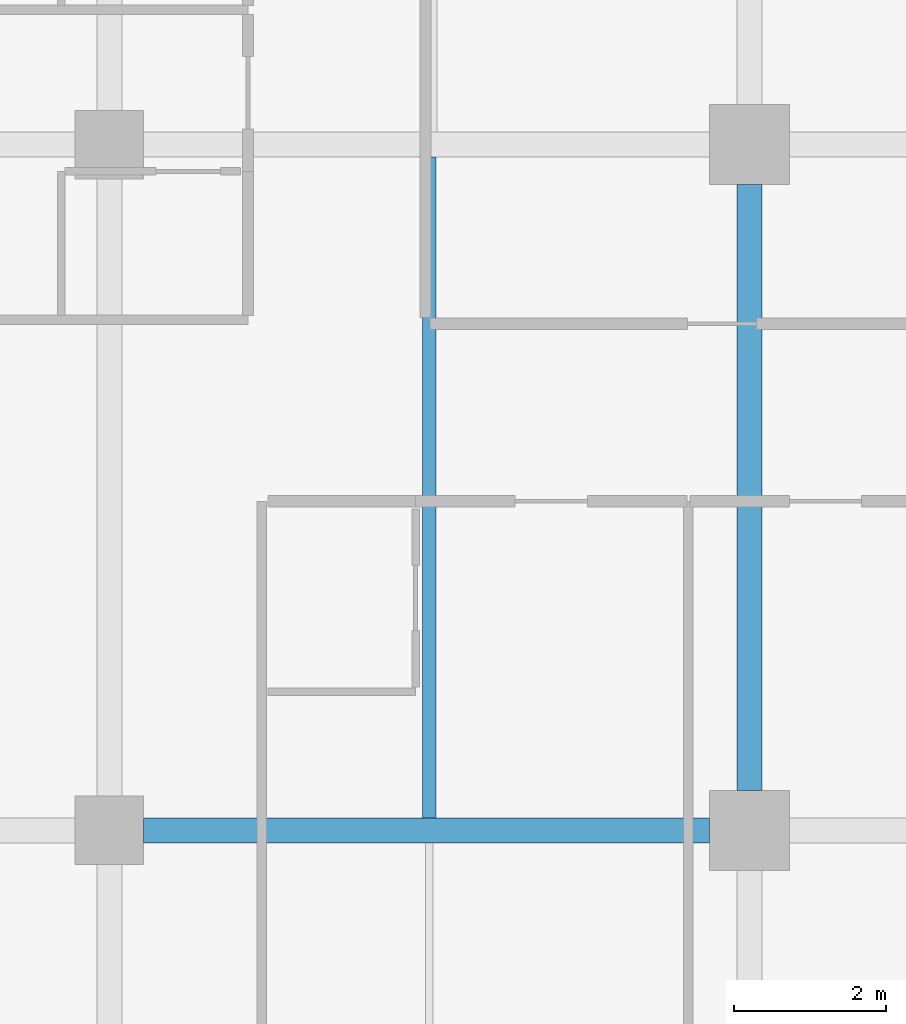
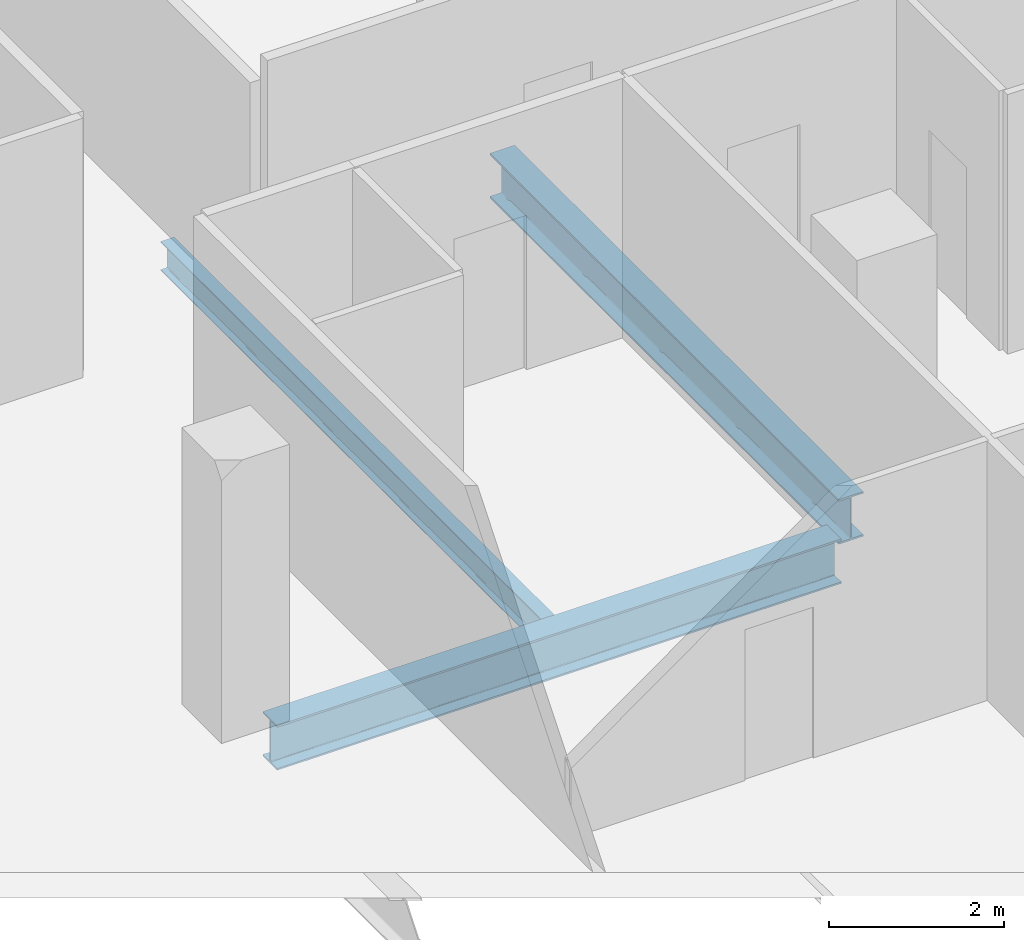
# One storey, part 6 of 41: 3 beams.
"""IFC4 building model written with IfcOpenShell, lengths in metres."""

from ifc_helpers import new_model, si_unit, direction, frame, origin, origin_2d, place, context, subcontext, project, spatial, i_section, extrude, material, material_profile, profile_set, type_object, element, save


model = new_model("IFC4")

# Units and contexts
model_context = context("Model", 3, precision=1e-05, world=origin(), true_north=direction((0.0, 1.0)))
body_context = subcontext(model_context, "Body", "Model", "MODEL_VIEW")
ifc_project = project(units=[si_unit("LENGTHUNIT", "METRE"), si_unit("AREAUNIT", "SQUARE_METRE"), si_unit("VOLUMEUNIT", "CUBIC_METRE"), si_unit("PLANEANGLEUNIT", "RADIAN"), si_unit("MASSUNIT", "GRAM", prefix="KILO")], contexts=[model_context])

# Site, building, storey
site_placement = place(None, origin())
site = spatial("IfcSite", under=ifc_project, at=site_placement, CompositionType="ELEMENT")
building_placement = place(site_placement, origin())
building = spatial("IfcBuilding", under=site, at=building_placement, Name="Maruvema Waterfront Hotel and Observation Tower", CompositionType="ELEMENT")
storey_placement = place(building_placement, frame((0.0, 0.0, 61.60009765625)))
storey = spatial("IfcBuildingStorey", under=building, at=storey_placement, Name="L14", CompositionType="ELEMENT", Elevation=61.60009765625)

# Beams
ifc_material_1 = material(Name="Steel ASTM A572 Grade 50", Category="steel")
ifc_material_profile_1 = material_profile(ifc_material_1, i_section(OverallWidth=0.326904296875, OverallDepth=0.6220703125, WebThickness=0.015380859375, FlangeThickness=0.0244140625, FilletRadius=0.01806640625, at=origin_2d()), Name="W610x195.0")
ifc_profile_set_1 = profile_set([ifc_material_profile_1], Name="Steel ASTM A572 Grade 50")
beam_type_1 = type_object("IfcBeamType", Name="Primary Floor Girder W610x195.0", PredefinedType="BEAM", material=ifc_profile_set_1)
beam_1_placement = place(storey_placement, frame((17.25, 9.0, -0.551025390625), z_axis=(1.0, 0.0, 0.0), x_axis=(0.0, 1.0, 0.0)))
element("IfcBeam", 1, at=beam_1_placement, inside=storey, type_object=beam_type_1, Name="L14 Floor Girder EW-07", PredefinedType="BEAM", context=body_context, shape_type="SweptSolid", body=[
    extrude(i_section(OverallWidth=0.326904296875, OverallDepth=0.6220703125, WebThickness=0.015380859375, FlangeThickness=0.0244140625, FilletRadius=0.01806640625, at=origin_2d()), origin(), (0.0, 0.0, 1.0), 7.425048828125),
])
beam_2_placement = place(storey_placement, frame((25.199951171875, 9.52490234375, -0.551025390625), z_axis=(0.0, 1.0, 0.0), x_axis=(-1.0, 0.0, 0.0)))
element("IfcBeam", 2, at=beam_2_placement, inside=storey, type_object=beam_type_1, Name="L14 Floor Girder NS-12", PredefinedType="BEAM", context=body_context, shape_type="SweptSolid", body=[
    extrude(i_section(OverallWidth=0.326904296875, OverallDepth=0.6220703125, WebThickness=0.015380859375, FlangeThickness=0.0244140625, FilletRadius=0.01806640625, at=origin_2d()), origin(), (0.0, 0.0, 1.0), 7.9501953125),
])
ifc_material_2 = material(Name="Steel ASTM A572 Grade 50", Category="steel")
ifc_material_profile_2 = material_profile(ifc_material_2, i_section(OverallWidth=0.177001953125, OverallDepth=0.403076171875, WebThickness=0.007568359375, FlangeThickness=0.010986328125, FilletRadius=0.014892578125, at=origin_2d()), Name="W410x53.0")
ifc_profile_set_2 = profile_set([ifc_material_profile_2], Name="Steel ASTM A572 Grade 50")
beam_type_2 = type_object("IfcBeamType", Name="Secondary Floor Joist W410x53.0", PredefinedType="JOIST", material=ifc_profile_set_2)
beam_3_placement = place(storey_placement, frame((21.0, 9.16357421875, -0.441650390625), z_axis=(0.0, 1.0, 0.0), x_axis=(-1.0, 0.0, 0.0)))
element("IfcBeam", 3, at=beam_3_placement, inside=storey, type_object=beam_type_2, Name="L14 Secondary Floor Joist JS-06", PredefinedType="JOIST", context=body_context, shape_type="SweptSolid", body=[
    extrude(i_section(OverallWidth=0.177001953125, OverallDepth=0.403076171875, WebThickness=0.007568359375, FlangeThickness=0.010986328125, FilletRadius=0.014892578125, at=origin_2d()), origin(), (0.0, 0.0, 1.0), 8.6728515625),
])

save(model, "model.ifc")
